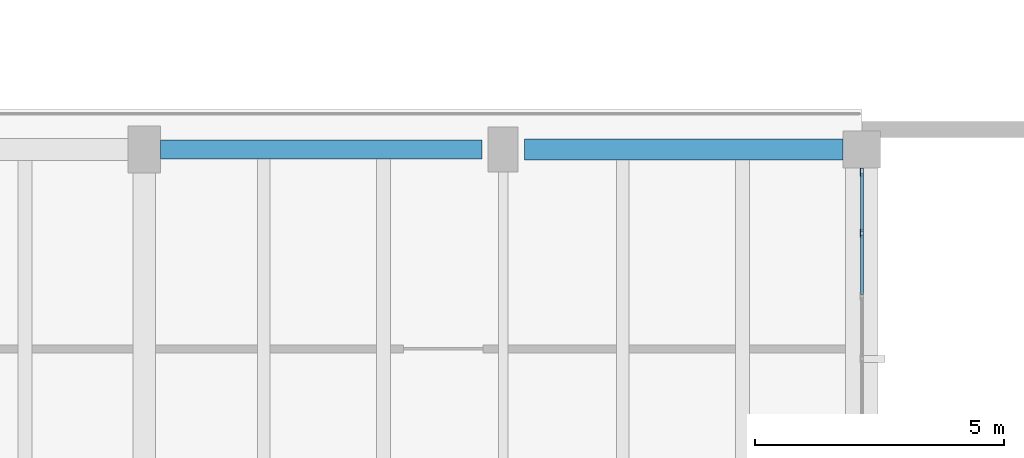
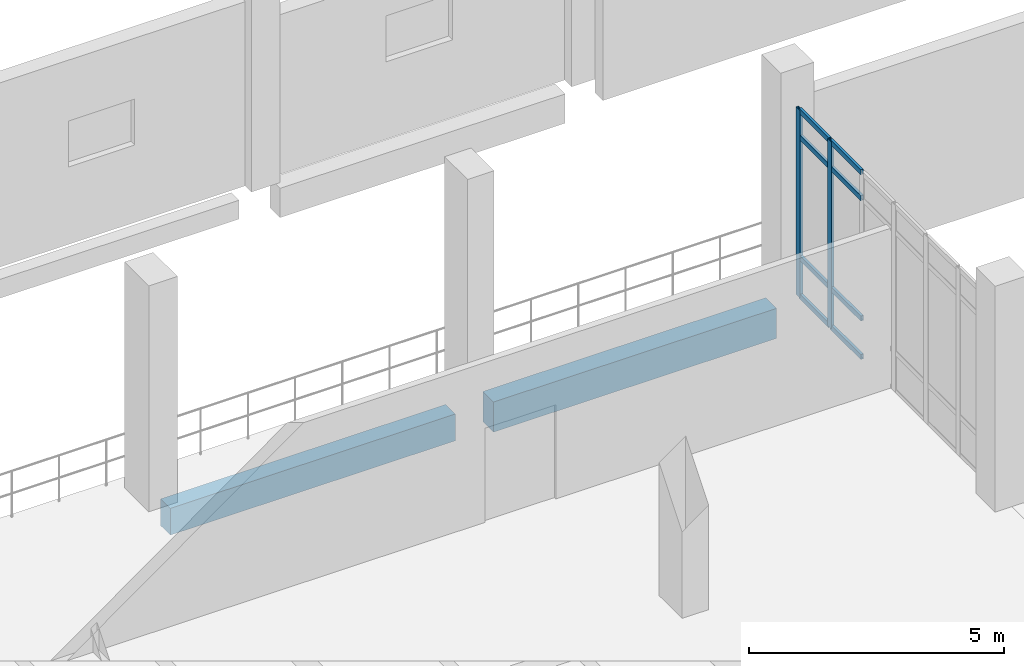
# One storey, part 59 of 110: 10 members, 2 beams, 1 element without a shape of its own.
"""IFC4 building model written with IfcOpenShell, lengths in metres."""

from ifc_helpers import new_model, si_unit, direction, frame, origin, origin_2d, place, context, subcontext, project, spatial, rectangle, hollow_rectangle, extrude, material, material_profile, profile_set, type_object, element, aggregate, save


model = new_model("IFC4")

# Units and contexts
model_context = context("Model", 3, precision=1e-05, world=origin(), true_north=direction((0.0, 1.0)))
body_context = subcontext(model_context, "Body", "Model", "MODEL_VIEW")
ifc_project = project(units=[si_unit("LENGTHUNIT", "METRE"), si_unit("AREAUNIT", "SQUARE_METRE"), si_unit("VOLUMEUNIT", "CUBIC_METRE"), si_unit("PLANEANGLEUNIT", "RADIAN"), si_unit("MASSUNIT", "GRAM", prefix="KILO")], contexts=[model_context])

# Site, building, storey
site_placement = place(None, origin())
site = spatial("IfcSite", under=ifc_project, at=site_placement, CompositionType="ELEMENT")
building_placement = place(site_placement, origin())
building = spatial("IfcBuilding", under=site, at=building_placement, Name="Kalluvel Institute of Natural Sciences", CompositionType="ELEMENT")
storey_placement = place(building_placement, origin())
storey = spatial("IfcBuildingStorey", under=building, at=storey_placement, Name="L00", CompositionType="ELEMENT", Elevation=0.0)

# Beams
ifc_material_1 = material(Name="Concrete M40", Category="concrete")
ifc_material_profile_1 = material_profile(ifc_material_1, rectangle(XDim=0.3798828125, YDim=0.639892578125, at=origin_2d()), Name="RCB 380x640")
ifc_profile_set_1 = profile_set([ifc_material_profile_1], Name="Concrete M40")
beam_type_1 = type_object("IfcBeamType", Name="BM-RC380x640", PredefinedType="BEAM", material=ifc_profile_set_1)
beam_1_placement = place(storey_placement, frame((100.72509765625, 119.60009765625, -0.639892578125), z_axis=(1.0, 0.0, 0.0), x_axis=(0.0, 1.0, 0.0)))
element("IfcBeam", 1, at=beam_1_placement, inside=storey, type_object=beam_type_1, Name="L00 girder GIR-L00-EW-X1004-Y1196", PredefinedType="BEAM", context=body_context, shape_type="SweptSolid", body=[
    extrude(rectangle(XDim=0.3798828125, YDim=0.639892578125, at=origin_2d()), origin(), (0.0, 0.0, 1.0), 6.449951171875),
])
ifc_material_profile_2 = material_profile(ifc_material_1, rectangle(XDim=0.419921875, YDim=0.719970703125, at=origin_2d()), Name="RCB 420x720")
ifc_profile_set_2 = profile_set([ifc_material_profile_2], Name="Concrete M40")
beam_type_2 = type_object("IfcBeamType", Name="BM-RC420x720", PredefinedType="BEAM", material=ifc_profile_set_2)
beam_2_placement = place(storey_placement, frame((108.02490234375, 119.60009765625, -0.679931640625), z_axis=(1.0, 0.0, 0.0), x_axis=(0.0, 1.0, 0.0)))
element("IfcBeam", 2, at=beam_2_placement, inside=storey, type_object=beam_type_2, Name="L00 girder GIR-L00-EW-X1076-Y1196", PredefinedType="BEAM", context=body_context, shape_type="SweptSolid", body=[
    extrude(rectangle(XDim=0.419921875, YDim=0.719970703125, at=origin_2d()), origin(), (0.0, 0.0, 1.0), 6.400146484375),
])

# Curtain wall, members
ifc_material_2 = material(Name="Aluminium AW-6063 T6", Category="aluminium")
curtain_wall_type = type_object("IfcCurtainWallType", Name="CW-WET-54", PredefinedType="USERDEFINED", material=ifc_material_2)
curtain_wall_placement = place(storey_placement, origin())
curtain_wall = element("IfcCurtainWall", 3, at=curtain_wall_placement, inside=storey, type_object=curtain_wall_type, Name="L00 Gothic lancet curtain wall CWA-L00-X1148-Y1116", ObjectType="UNITISED LANCET FACADE", PredefinedType="USERDEFINED")
ifc_material_profile_3 = material_profile(ifc_material_2, hollow_rectangle(XDim=0.06005859375, YDim=0.159912109375, WallThickness=0.00390625, at=origin_2d()), Name="CWM 60x160")
ifc_profile_set_3 = profile_set([ifc_material_profile_3], Name="Aluminium AW-6063 T6")
member_type_1 = type_object("IfcMemberType", Name="CWM-60x160", PredefinedType="MULLION", material=ifc_profile_set_3)
member_1_placement = place(storey_placement, frame((114.800048828125, 117.916748046875, 0.0), z_axis=(0.0, 0.0, 1.0), x_axis=(-1.0, 0.0, 0.0)))
member_1 = element("IfcMember", 4, at=member_1_placement, type_object=member_type_1, Name="CW-02 mullion 6", PredefinedType="MULLION", context=body_context, shape_type="SweptSolid", body=[
    extrude(hollow_rectangle(XDim=0.06005859375, YDim=0.159912109375, WallThickness=0.00390625, at=origin_2d()), origin(), (0.0, 0.0, 1.0), 4.47998046875),
])
member_2_placement = place(storey_placement, frame((114.800048828125, 119.14501953125, 0.0), z_axis=(0.0, 0.0, 1.0), x_axis=(-1.0, 0.0, 0.0)))
member_2 = element("IfcMember", 5, at=member_2_placement, type_object=member_type_1, Name="CW-02 mullion 7", PredefinedType="MULLION", context=body_context, shape_type="SweptSolid", body=[
    extrude(hollow_rectangle(XDim=0.06005859375, YDim=0.159912109375, WallThickness=0.00390625, at=origin_2d()), origin(), (0.0, 0.0, 1.0), 4.47998046875),
])
ifc_material_profile_4 = material_profile(ifc_material_2, hollow_rectangle(XDim=0.06005859375, YDim=0.1201171875, WallThickness=0.00390625, at=origin_2d()), Name="CWT 60x120")
ifc_profile_set_4 = profile_set([ifc_material_profile_4], Name="Aluminium AW-6063 T6")
member_type_2 = type_object("IfcMemberType", Name="CWT-60x120", PredefinedType="USERDEFINED", material=ifc_profile_set_4)
member_3_placement = place(storey_placement, frame((114.800048828125, 116.688232421875, 0.030029296875), z_axis=(0.0, 1.0, 0.0), x_axis=(-1.0, 0.0, 0.0)))
member_3 = element("IfcMember", 6, at=member_3_placement, type_object=member_type_2, Name="CW-02 transom 5.1", ObjectType="TRANSOM", PredefinedType="USERDEFINED", context=body_context, shape_type="SweptSolid", body=[
    extrude(hollow_rectangle(XDim=0.06005859375, YDim=0.1201171875, WallThickness=0.00390625, at=origin_2d()), origin(), (0.0, 0.0, 1.0), 1.198486328125),
])
member_4_placement = place(storey_placement, frame((114.800048828125, 116.688232421875, 0.949951171875), z_axis=(0.0, 1.0, 0.0), x_axis=(-1.0, 0.0, 0.0)))
member_4 = element("IfcMember", 7, at=member_4_placement, type_object=member_type_2, Name="CW-02 transom 5.2", ObjectType="TRANSOM", PredefinedType="USERDEFINED", context=body_context, shape_type="SweptSolid", body=[
    extrude(hollow_rectangle(XDim=0.06005859375, YDim=0.1201171875, WallThickness=0.00390625, at=origin_2d()), origin(), (0.0, 0.0, 1.0), 1.198486328125),
])
member_5_placement = place(storey_placement, frame((114.800048828125, 116.688232421875, 3.830078125), z_axis=(0.0, 1.0, 0.0), x_axis=(-1.0, 0.0, 0.0)))
member_5 = element("IfcMember", 8, at=member_5_placement, type_object=member_type_2, Name="CW-02 transom 5.3", ObjectType="TRANSOM", PredefinedType="USERDEFINED", context=body_context, shape_type="SweptSolid", body=[
    extrude(hollow_rectangle(XDim=0.06005859375, YDim=0.1201171875, WallThickness=0.00390625, at=origin_2d()), origin(), (0.0, 0.0, 1.0), 1.198486328125),
])
member_6_placement = place(storey_placement, frame((114.800048828125, 116.688232421875, 4.449951171875), z_axis=(0.0, 1.0, 0.0), x_axis=(-1.0, 0.0, 0.0)))
member_6 = element("IfcMember", 9, at=member_6_placement, type_object=member_type_2, Name="CW-02 transom 5.4", ObjectType="TRANSOM", PredefinedType="USERDEFINED", context=body_context, shape_type="SweptSolid", body=[
    extrude(hollow_rectangle(XDim=0.06005859375, YDim=0.1201171875, WallThickness=0.00390625, at=origin_2d()), origin(), (0.0, 0.0, 1.0), 1.198486328125),
])
member_7_placement = place(storey_placement, frame((114.800048828125, 117.94677734375, 0.030029296875), z_axis=(0.0, 1.0, 0.0), x_axis=(-1.0, 0.0, 0.0)))
member_7 = element("IfcMember", 10, at=member_7_placement, type_object=member_type_2, Name="CW-02 transom 6.1", ObjectType="TRANSOM", PredefinedType="USERDEFINED", context=body_context, shape_type="SweptSolid", body=[
    extrude(hollow_rectangle(XDim=0.06005859375, YDim=0.1201171875, WallThickness=0.00390625, at=origin_2d()), origin(), (0.0, 0.0, 1.0), 1.168212890625),
])
member_8_placement = place(storey_placement, frame((114.800048828125, 117.94677734375, 0.949951171875), z_axis=(0.0, 1.0, 0.0), x_axis=(-1.0, 0.0, 0.0)))
member_8 = element("IfcMember", 11, at=member_8_placement, type_object=member_type_2, Name="CW-02 transom 6.2", ObjectType="TRANSOM", PredefinedType="USERDEFINED", context=body_context, shape_type="SweptSolid", body=[
    extrude(hollow_rectangle(XDim=0.06005859375, YDim=0.1201171875, WallThickness=0.00390625, at=origin_2d()), origin(), (0.0, 0.0, 1.0), 1.168212890625),
])
member_9_placement = place(storey_placement, frame((114.800048828125, 117.94677734375, 3.830078125), z_axis=(0.0, 1.0, 0.0), x_axis=(-1.0, 0.0, 0.0)))
member_9 = element("IfcMember", 12, at=member_9_placement, type_object=member_type_2, Name="CW-02 transom 6.3", ObjectType="TRANSOM", PredefinedType="USERDEFINED", context=body_context, shape_type="SweptSolid", body=[
    extrude(hollow_rectangle(XDim=0.06005859375, YDim=0.1201171875, WallThickness=0.00390625, at=origin_2d()), origin(), (0.0, 0.0, 1.0), 1.168212890625),
])
member_10_placement = place(storey_placement, frame((114.800048828125, 117.94677734375, 4.449951171875), z_axis=(0.0, 1.0, 0.0), x_axis=(-1.0, 0.0, 0.0)))
member_10 = element("IfcMember", 13, at=member_10_placement, type_object=member_type_2, Name="CW-02 transom 6.4", ObjectType="TRANSOM", PredefinedType="USERDEFINED", context=body_context, shape_type="SweptSolid", body=[
    extrude(hollow_rectangle(XDim=0.06005859375, YDim=0.1201171875, WallThickness=0.00390625, at=origin_2d()), origin(), (0.0, 0.0, 1.0), 1.168212890625),
])
aggregate(curtain_wall, [member_1, member_2, member_3, member_4, member_5, member_6, member_7, member_8, member_9, member_10])

save(model, "model.ifc")
